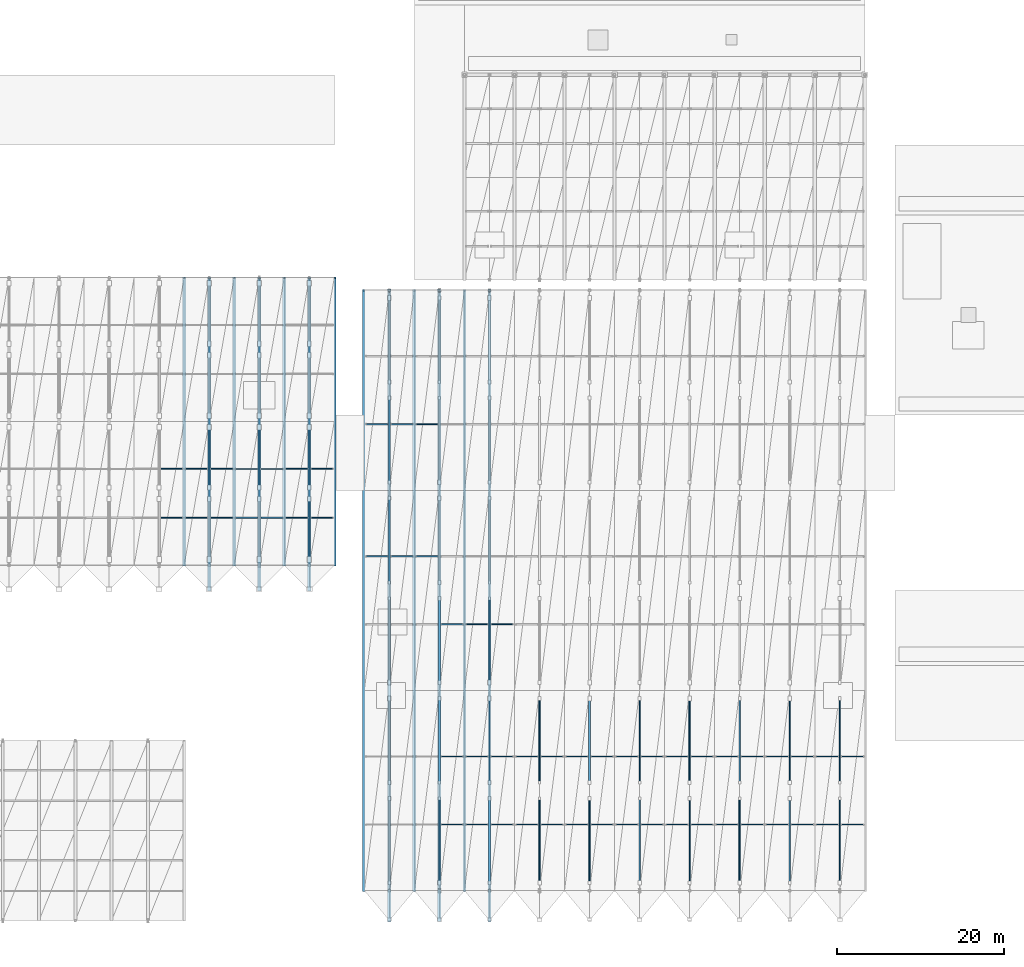
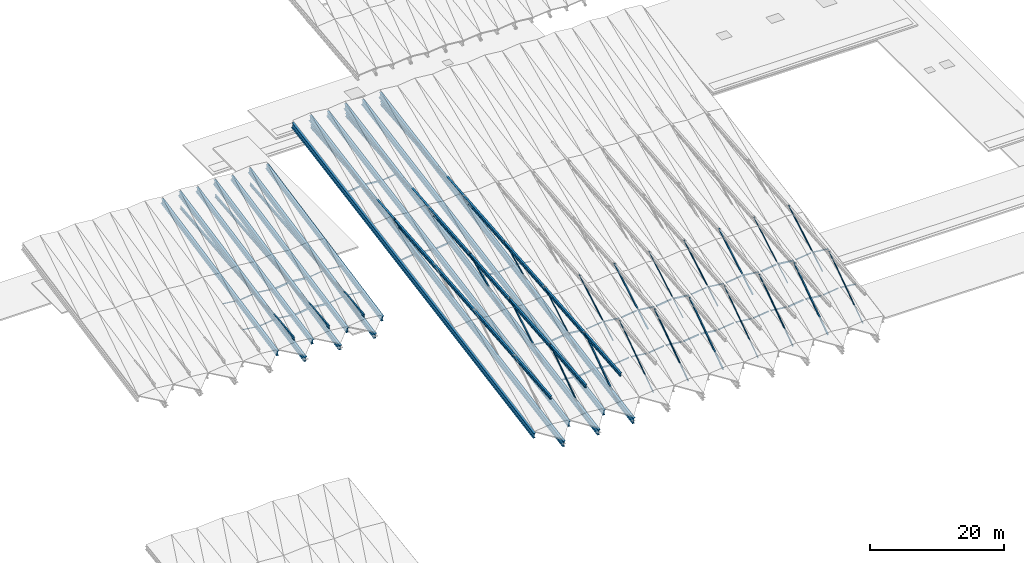
# One storey, part 4 of 52: 89 members, 13 beams.
"""IFC4 building model written with IfcOpenShell, lengths in metres."""

from ifc_helpers import new_model, si_unit, direction, frame, origin, origin_2d, place, context, subcontext, project, spatial, hollow_rectangle, hollow_circle, i_section, extrude, material, material_profile, profile_set, type_object, element, save


model = new_model("IFC4")

# Units and contexts
model_context = context("Model", 3, precision=1e-05, world=origin(), true_north=direction((0.0, 1.0)))
body_context = subcontext(model_context, "Body", "Model", "MODEL_VIEW")
ifc_project = project(units=[si_unit("LENGTHUNIT", "METRE"), si_unit("AREAUNIT", "SQUARE_METRE"), si_unit("VOLUMEUNIT", "CUBIC_METRE"), si_unit("PLANEANGLEUNIT", "RADIAN"), si_unit("MASSUNIT", "GRAM", prefix="KILO")], contexts=[model_context])

# Site, building, storey
site_placement = place(None, origin())
site = spatial("IfcSite", under=ifc_project, at=site_placement, CompositionType="ELEMENT")
building_placement = place(site_placement, origin())
building = spatial("IfcBuilding", under=site, at=building_placement, Name="Vaelkrest Opera House", CompositionType="ELEMENT")
storey_placement = place(building_placement, frame((0.0, 0.0, 41.39990234375)))
storey = spatial("IfcBuildingStorey", under=building, at=storey_placement, Name="ROOF", CompositionType="ELEMENT", Elevation=41.39990234375)

# Beams
ifc_material_1 = material(Name="Steel A992 Gr50", Category="steel")
ifc_material_profile_1 = material_profile(ifc_material_1, i_section(OverallWidth=0.41796875, OverallDepth=0.927001953125, WebThickness=0.019287109375, FlangeThickness=0.031982421875, at=origin_2d()), Name="W36X231")
ifc_profile_set_1 = profile_set([ifc_material_profile_1], Name="Steel A992 Gr50")
beam_type_1 = type_object("IfcBeamType", Name="B13", PredefinedType="BEAM", material=ifc_profile_set_1)
for number, where, z_axis, x_axis, name in (
    (1, (-51.60009765625, -16.800048828125, -18.114013671875), (0.0, 0.980710452507, 0.195466130936), (-1.0, 0.0, 0.0), "Pleated roof valley rafter V3-08"),
    (2, (-45.60009765625, -16.800048828125, -18.114013671875), (0.0, 0.980710452507, 0.195466130936), (-1.0, 0.0, 0.0), "Pleated roof valley rafter V3-10"),
    (3, (-39.60009765625, -16.800048828125, -18.114013671875), (0.0, 0.980710452507, 0.195466130936), (-1.0, 0.0, 0.0), "Pleated roof valley rafter V3-12"),
    (4, (-33.60009765625, -16.800048828125, -18.114013671875), (0.0, 0.980710452507, 0.195466130936), (-1.0, 0.0, 0.0), "Pleated roof valley rafter V3-14"),
):
    element("IfcBeam", number, at=place(storey_placement, frame(where, z_axis=z_axis, x_axis=x_axis)), inside=storey, type_object=beam_type_1, Name=name, PredefinedType="BEAM", context=body_context, shape_type="SweptSolid", body=[
        extrude(i_section(OverallWidth=0.41796875, OverallDepth=0.927001953125, WebThickness=0.019287109375, FlangeThickness=0.031982421875, at=origin_2d()), origin(), (0.0, 0.0, 1.0), 35.178466796875),
    ])
ifc_material_profile_2 = material_profile(ifc_material_1, i_section(OverallWidth=0.39990234375, OverallDepth=1.02197265625, WebThickness=0.01904296875, FlangeThickness=0.0361328125, at=origin_2d()), Name="W40X249")
ifc_profile_set_2 = profile_set([ifc_material_profile_2], Name="Steel A992 Gr50")
beam_type_2 = type_object("IfcBeamType", Name="B15", PredefinedType="BEAM", material=ifc_profile_set_2)
for number, where, z_axis, x_axis, name in (
    (5, (-30.0, -55.800048828125, -16.98095703125), (0.0, 0.984382983707, 0.176040169816), (-1.0, 0.0, 0.0), "Pleated roof valley rafter V1-00"),
    (6, (-24.0, -55.800048828125, -16.98095703125), (0.0, 0.984382983707, 0.176040169816), (-1.0, 0.0, 0.0), "Pleated roof valley rafter V1-02"),
    (7, (-18.0, -55.800048828125, -16.98095703125), (0.0, 0.984382983707, 0.176040169816), (-1.0, 0.0, 0.0), "Pleated roof valley rafter V1-04"),
):
    element("IfcBeam", number, at=place(storey_placement, frame(where, z_axis=z_axis, x_axis=x_axis)), inside=storey, type_object=beam_type_2, Name=name, PredefinedType="BEAM", context=body_context, shape_type="SweptSolid", body=[
        extrude(i_section(OverallWidth=0.39990234375, OverallDepth=1.02197265625, WebThickness=0.01904296875, FlangeThickness=0.0361328125, at=origin_2d()), origin(), (0.0, 0.0, 1.0), 73.142333984375),
    ])
ifc_material_profile_3 = material_profile(ifc_material_1, i_section(OverallWidth=0.423095703125, OverallDepth=0.947998046875, WebThickness=0.02392578125, FlangeThickness=0.042724609375, at=origin_2d()), Name="W36X302")
ifc_profile_set_3 = profile_set([ifc_material_profile_3], Name="Steel A992 Gr50")
beam_type_3 = type_object("IfcBeamType", Name="B17", PredefinedType="BEAM", material=ifc_profile_set_3)
for number, where, z_axis, x_axis, name in (
    (8, (-48.60009765625, -19.800048828125, -18.39794921875), (0.0, 0.980710612152, 0.195465329951), (-1.0, 0.0, 0.0), "Pleated roof ridge rafter V3-09"),
    (9, (-42.60009765625, -19.800048828125, -18.39794921875), (0.0, 0.980710612152, 0.195465329951), (-1.0, 0.0, 0.0), "Pleated roof ridge rafter V3-11"),
    (10, (-36.60009765625, -19.800048828125, -18.39794921875), (0.0, 0.980710612152, 0.195465329951), (-1.0, 0.0, 0.0), "Pleated roof ridge rafter V3-13"),
):
    element("IfcBeam", number, at=place(storey_placement, frame(where, z_axis=z_axis, x_axis=x_axis)), inside=storey, type_object=beam_type_3, Name=name, PredefinedType="BEAM", context=body_context, shape_type="SweptSolid", body=[
        extrude(i_section(OverallWidth=0.423095703125, OverallDepth=0.947998046875, WebThickness=0.02392578125, FlangeThickness=0.042724609375, at=origin_2d()), origin(), (0.0, 0.0, 1.0), 38.237548828125),
    ])
ifc_material_profile_4 = material_profile(ifc_material_1, i_section(OverallWidth=0.405029296875, OverallDepth=1.117919921875, WebThickness=0.02587890625, FlangeThickness=0.044921875, at=origin_2d()), Name="W44X335")
ifc_profile_set_4 = profile_set([ifc_material_profile_4], Name="Steel A992 Gr50")
beam_type_4 = type_object("IfcBeamType", Name="B18", PredefinedType="BEAM", material=ifc_profile_set_4)
for number, where, z_axis, x_axis, name in (
    (11, (-27.0, -59.39990234375, -17.348876953125), (0.0, 0.984382373709, 0.176043580772), (-1.0, 0.0, 0.0), "Pleated roof ridge rafter V1-01"),
    (12, (-21.0, -59.39990234375, -17.348876953125), (0.0, 0.984382373709, 0.176043580772), (-1.0, 0.0, 0.0), "Pleated roof ridge rafter V1-03"),
    (13, (-15.0, -59.39990234375, -17.348876953125), (0.0, 0.984382373709, 0.176043580772), (-1.0, 0.0, 0.0), "Pleated roof ridge rafter V1-05"),
):
    element("IfcBeam", number, at=place(storey_placement, frame(where, z_axis=z_axis, x_axis=x_axis)), inside=storey, type_object=beam_type_4, Name=name, PredefinedType="BEAM", context=body_context, shape_type="SweptSolid", body=[
        extrude(i_section(OverallWidth=0.405029296875, OverallDepth=1.117919921875, WebThickness=0.02587890625, FlangeThickness=0.044921875, at=origin_2d()), origin(), (0.0, 0.0, 1.0), 76.79931640625),
    ])

# Members
ifc_material_2 = material(Name="Steel A500 GrC", Category="steel")
ifc_material_profile_5 = material_profile(ifc_material_2, hollow_circle(Radius=0.084228515625, WallThickness=0.007080078125, at=origin_2d()), Name="HSS168.3X7.1")
ifc_profile_set_5 = profile_set([ifc_material_profile_5], Name="Steel A500 GrC")
member_type_1 = type_object("IfcMemberType", Name="BR01", PredefinedType="BRACE", material=ifc_profile_set_5)
for number, where, z_axis, x_axis, name in (
    (14, (-15.0, -42.840087890625, -14.94580078125), (0.0, 0.863110928031, 0.505014381888), (-1.0, 0.0, 0.0), "Pleated truss web brace V1-05-2"),
    (15, (3.0, -42.840087890625, -14.94580078125), (0.0, 0.863110928031, 0.505014381888), (-1.0, 0.0, 0.0), "Pleated truss web brace V1-11-2"),
    (16, (21.0, -42.840087890625, -14.94580078125), (0.0, 0.863110928031, 0.505014381888), (-1.0, 0.0, 0.0), "Pleated truss web brace V1-17-2"),
):
    element("IfcMember", number, at=place(storey_placement, frame(where, z_axis=z_axis, x_axis=x_axis)), inside=storey, type_object=member_type_1, Name=name, PredefinedType="BRACE", context=body_context, shape_type="SweptSolid", body=[
        extrude(hollow_circle(Radius=0.084228515625, WallThickness=0.007080078125, at=origin_2d()), origin(), (0.0, 0.0, 1.0), 11.6787109375),
    ])
ifc_material_profile_6 = material_profile(ifc_material_2, hollow_circle(Radius=0.09521484375, WallThickness=0.009521484375, at=origin_2d()), Name="HSS190.5X9.5")
ifc_profile_set_6 = profile_set([ifc_material_profile_6], Name="Steel A500 GrC")
member_type_2 = type_object("IfcMemberType", Name="BR02", PredefinedType="BRACE", material=ifc_profile_set_6)
member_1_placement = place(storey_placement, frame((-15.0, -30.840087890625, -12.7998046875), z_axis=(0.0, 0.904046576434, 0.427433957047), x_axis=(-1.0, 0.0, 0.0)))
element("IfcMember", 17, at=member_1_placement, inside=storey, type_object=member_type_2, Name="Pleated truss web brace V1-05-3", PredefinedType="BRACE", context=body_context, shape_type="SweptSolid", body=[
    extrude(hollow_circle(Radius=0.09521484375, WallThickness=0.009521484375, at=origin_2d()), origin(), (0.0, 0.0, 1.0), 11.14990234375),
])
for number, where, z_axis, x_axis, name in (
    (18, (-9.0, -54.840087890625, -17.091796875), (0.0, 0.820234906508, 0.572026833414), (-1.0, 0.0, 0.0), "Pleated truss web brace V1-07-1"),
    (19, (9.0, -54.840087890625, -17.091796875), (0.0, 0.820234906508, 0.572026833414), (-1.0, 0.0, 0.0), "Pleated truss web brace V1-13-1"),
    (20, (27.0, -54.840087890625, -17.091796875), (0.0, 0.820234906508, 0.572026833414), (-1.0, 0.0, 0.0), "Pleated truss web brace V1-19-1"),
):
    element("IfcMember", number, at=place(storey_placement, frame(where, z_axis=z_axis, x_axis=x_axis)), inside=storey, type_object=member_type_2, Name=name, PredefinedType="BRACE", context=body_context, shape_type="SweptSolid", body=[
        extrude(hollow_circle(Radius=0.09521484375, WallThickness=0.009521484375, at=origin_2d()), origin(), (0.0, 0.0, 1.0), 12.289306640625),
    ])
ifc_material_profile_7 = material_profile(ifc_material_2, hollow_circle(Radius=0.109619140625, WallThickness=0.009521484375, at=origin_2d()), Name="HSS219.1X9.5")
ifc_profile_set_7 = profile_set([ifc_material_profile_7], Name="Steel A500 GrC")
member_type_3 = type_object("IfcMemberType", Name="BR03", PredefinedType="BRACE", material=ifc_profile_set_7)
for number, where, z_axis, x_axis, name in (
    (21, (-9.0, -42.840087890625, -14.94580078125), (0.0, 0.863110928031, 0.505014381888), (-1.0, 0.0, 0.0), "Pleated truss web brace V1-07-2"),
    (22, (9.0, -42.840087890625, -14.94580078125), (0.0, 0.863110928031, 0.505014381888), (-1.0, 0.0, 0.0), "Pleated truss web brace V1-13-2"),
    (23, (27.0, -42.840087890625, -14.94580078125), (0.0, 0.863110928031, 0.505014381888), (-1.0, 0.0, 0.0), "Pleated truss web brace V1-19-2"),
):
    element("IfcMember", number, at=place(storey_placement, frame(where, z_axis=z_axis, x_axis=x_axis)), inside=storey, type_object=member_type_3, Name=name, PredefinedType="BRACE", context=body_context, shape_type="SweptSolid", body=[
        extrude(hollow_circle(Radius=0.109619140625, WallThickness=0.009521484375, at=origin_2d()), origin(), (0.0, 0.0, 1.0), 11.6787109375),
    ])
ifc_material_profile_8 = material_profile(ifc_material_2, hollow_circle(Radius=0.122314453125, WallThickness=0.0126953125, at=origin_2d()), Name="HSS244.5X12.7")
ifc_profile_set_8 = profile_set([ifc_material_profile_8], Name="Steel A500 GrC")
member_type_4 = type_object("IfcMemberType", Name="BR04", PredefinedType="BRACE", material=ifc_profile_set_8)
for number, where, z_axis, x_axis, name in (
    (24, (-21.0, -54.840087890625, -17.091796875), (0.0, 0.820234906508, 0.572026833414), (-1.0, 0.0, 0.0), "Pleated truss web brace V1-03-1"),
    (25, (-3.0, -54.840087890625, -17.091796875), (0.0, 0.820234906508, 0.572026833414), (-1.0, 0.0, 0.0), "Pleated truss web brace V1-09-1"),
    (26, (15.0, -54.840087890625, -17.091796875), (0.0, 0.820234906508, 0.572026833414), (-1.0, 0.0, 0.0), "Pleated truss web brace V1-15-1"),
):
    element("IfcMember", number, at=place(storey_placement, frame(where, z_axis=z_axis, x_axis=x_axis)), inside=storey, type_object=member_type_4, Name=name, PredefinedType="BRACE", context=body_context, shape_type="SweptSolid", body=[
        extrude(hollow_circle(Radius=0.122314453125, WallThickness=0.0126953125, at=origin_2d()), origin(), (0.0, 0.0, 1.0), 12.289306640625),
    ])
ifc_material_profile_9 = material_profile(ifc_material_2, hollow_circle(Radius=0.136474609375, WallThickness=0.0126953125, at=origin_2d()), Name="HSS273.1X12.7")
ifc_profile_set_9 = profile_set([ifc_material_profile_9], Name="Steel A500 GrC")
member_type_5 = type_object("IfcMemberType", Name="BR05", PredefinedType="BRACE", material=ifc_profile_set_9)
for number, where, z_axis, x_axis, name in (
    (27, (-48.60009765625, -7.485107421875, -16.4169921875), (0.0, 0.976296082259, 0.216439275009), (-1.0, 0.0, 0.0), "Pleated truss web brace V3-09-2"),
    (28, (-42.60009765625, -7.485107421875, -16.4169921875), (0.0, 0.976296082259, 0.216439275009), (-1.0, 0.0, 0.0), "Pleated truss web brace V3-11-2"),
    (29, (-36.60009765625, -7.485107421875, -16.4169921875), (0.0, 0.976296082259, 0.216439275009), (-1.0, 0.0, 0.0), "Pleated truss web brace V3-13-2"),
):
    element("IfcMember", number, at=place(storey_placement, frame(where, z_axis=z_axis, x_axis=x_axis)), inside=storey, type_object=member_type_5, Name=name, PredefinedType="BRACE", context=body_context, shape_type="SweptSolid", body=[
        extrude(hollow_circle(Radius=0.136474609375, WallThickness=0.0126953125, at=origin_2d()), origin(), (0.0, 0.0, 1.0), 7.421142578125),
    ])
ifc_material_profile_10 = material_profile(ifc_material_2, hollow_circle(Radius=0.161865234375, WallThickness=0.0126953125, at=origin_2d()), Name="HSS323.9X12.7")
ifc_profile_set_10 = profile_set([ifc_material_profile_10], Name="Steel A500 GrC")
member_type_6 = type_object("IfcMemberType", Name="BR06", PredefinedType="BRACE", material=ifc_profile_set_10)
member_2_placement = place(storey_placement, frame((-36.60009765625, -16.110107421875, -18.135986328125), z_axis=(0.0, 0.945942313597, 0.324334918481), x_axis=(-1.0, 0.0, 0.0)))
element("IfcMember", 30, at=member_2_placement, inside=storey, type_object=member_type_6, Name="Pleated truss web brace V3-13-1", PredefinedType="BRACE", context=body_context, shape_type="SweptSolid", body=[
    extrude(hollow_circle(Radius=0.161865234375, WallThickness=0.0126953125, at=origin_2d()), origin(), (0.0, 0.0, 1.0), 7.6591796875),
])
ifc_material_profile_11 = material_profile(ifc_material_2, hollow_rectangle(XDim=0.202880859375, YDim=0.202880859375, WallThickness=0.0126953125, at=origin_2d()), Name="HSS203X203X12.7")
ifc_profile_set_11 = profile_set([ifc_material_profile_11], Name="Steel A500 GrC")
member_type_7 = type_object("IfcMemberType", Name="BR07", PredefinedType="BRACE", material=ifc_profile_set_11)
member_3_placement = place(storey_placement, frame((-27.0, -18.840087890625, -10.65380859375), z_axis=(0.0, 0.940739769889, 0.339129304762), x_axis=(-1.0, 0.0, 0.0)))
element("IfcMember", 31, at=member_3_placement, inside=storey, type_object=member_type_7, Name="Pleated truss web brace V1-01-4", PredefinedType="BRACE", context=body_context, shape_type="SweptSolid", body=[
    extrude(hollow_rectangle(XDim=0.202880859375, YDim=0.202880859375, WallThickness=0.0126953125, at=origin_2d()), origin(), (0.0, 0.0, 1.0), 10.715087890625),
])
for number, where, z_axis, x_axis, name in (
    (32, (-21.0, -42.840087890625, -14.94580078125), (0.0, 0.863110928031, 0.505014381888), (-1.0, 0.0, 0.0), "Pleated truss web brace V1-03-2"),
    (33, (-3.0, -42.840087890625, -14.94580078125), (0.0, 0.863110928031, 0.505014381888), (-1.0, 0.0, 0.0), "Pleated truss web brace V1-09-2"),
    (34, (15.0, -42.840087890625, -14.94580078125), (0.0, 0.863110928031, 0.505014381888), (-1.0, 0.0, 0.0), "Pleated truss web brace V1-15-2"),
):
    element("IfcMember", number, at=place(storey_placement, frame(where, z_axis=z_axis, x_axis=x_axis)), inside=storey, type_object=member_type_7, Name=name, PredefinedType="BRACE", context=body_context, shape_type="SweptSolid", body=[
        extrude(hollow_rectangle(XDim=0.202880859375, YDim=0.202880859375, WallThickness=0.0126953125, at=origin_2d()), origin(), (0.0, 0.0, 1.0), 11.6787109375),
    ])
ifc_material_profile_12 = material_profile(ifc_material_2, hollow_rectangle(XDim=0.202880859375, YDim=0.25390625, WallThickness=0.0126953125, at=origin_2d()), Name="HSS254X203X12.7")
ifc_profile_set_12 = profile_set([ifc_material_profile_12], Name="Steel A500 GrC")
member_type_8 = type_object("IfcMemberType", Name="BR08", PredefinedType="BRACE", material=ifc_profile_set_12)
member_4_placement = place(storey_placement, frame((-27.0, -6.840087890625, -8.5078125), z_axis=(0.0, 0.970550414284, 0.240898097403), x_axis=(-1.0, 0.0, 0.0)))
element("IfcMember", 35, at=member_4_placement, inside=storey, type_object=member_type_8, Name="Pleated truss web brace V1-01-5", PredefinedType="BRACE", context=body_context, shape_type="SweptSolid", body=[
    extrude(hollow_rectangle(XDim=0.202880859375, YDim=0.25390625, WallThickness=0.0126953125, at=origin_2d()), origin(), (0.0, 0.0, 1.0), 10.385986328125),
])
member_5_placement = place(storey_placement, frame((-21.0, -30.840087890625, -12.7998046875), z_axis=(0.0, 0.904046576434, 0.427433957047), x_axis=(-1.0, 0.0, 0.0)))
element("IfcMember", 36, at=member_5_placement, inside=storey, type_object=member_type_8, Name="Pleated truss web brace V1-03-3", PredefinedType="BRACE", context=body_context, shape_type="SweptSolid", body=[
    extrude(hollow_rectangle(XDim=0.202880859375, YDim=0.25390625, WallThickness=0.0126953125, at=origin_2d()), origin(), (0.0, 0.0, 1.0), 11.14990234375),
])
for number, where, z_axis, x_axis, name in (
    (37, (-15.0, -54.840087890625, -17.091796875), (0.0, 0.820234906508, 0.572026833414), (-1.0, 0.0, 0.0), "Pleated truss web brace V1-05-1"),
    (38, (3.0, -54.840087890625, -17.091796875), (0.0, 0.820234906508, 0.572026833414), (-1.0, 0.0, 0.0), "Pleated truss web brace V1-11-1"),
    (39, (21.0, -54.840087890625, -17.091796875), (0.0, 0.820234906508, 0.572026833414), (-1.0, 0.0, 0.0), "Pleated truss web brace V1-17-1"),
):
    element("IfcMember", number, at=place(storey_placement, frame(where, z_axis=z_axis, x_axis=x_axis)), inside=storey, type_object=member_type_8, Name=name, PredefinedType="BRACE", context=body_context, shape_type="SweptSolid", body=[
        extrude(hollow_rectangle(XDim=0.202880859375, YDim=0.25390625, WallThickness=0.0126953125, at=origin_2d()), origin(), (0.0, 0.0, 1.0), 12.289306640625),
    ])
ifc_material_profile_13 = material_profile(ifc_material_2, hollow_rectangle(XDim=0.10205078125, YDim=0.152099609375, WallThickness=0.0078125, at=origin_2d()), Name="HSS152X102X8")
ifc_profile_set_13 = profile_set([ifc_material_profile_13], Name="Steel A500 GrC")
member_type_9 = type_object("IfcMemberType", Name="PR01", PredefinedType="PURLIN", material=ifc_profile_set_13)
for number, where, z_axis, x_axis, name in (
    (40, (-54.419921875, -11.10791015625, -16.27783203125), (0.992553582992, 0.0, -0.121808804645), (0.0, 1.0, 0.0), "Folded roof purlin V3-04-S1-33E"),
    (41, (-54.419921875, -5.241943359375, -15.10791015625), (0.992553582992, 0.0, -0.121808804645), (0.0, 1.0, 0.0), "Folded roof purlin V3-04-S1-67E"),
    (42, (-39.419921875, -11.10791015625, -16.601806640625), (0.992553582992, 0.0, 0.121808804645), (0.0, 1.0, 0.0), "Folded roof purlin V3-07-S1-33W"),
    (43, (-36.419921875, -11.10791015625, -16.27783203125), (0.992553582992, 0.0, -0.121808804645), (0.0, 1.0, 0.0), "Folded roof purlin V3-07-S1-33E"),
    (44, (-39.419921875, -5.241943359375, -15.431884765625), (0.992553582992, 0.0, 0.121808804645), (0.0, 1.0, 0.0), "Folded roof purlin V3-07-S1-67W"),
    (45, (-36.419921875, -5.241943359375, -15.10791015625), (0.992553582992, 0.0, -0.121808804645), (0.0, 1.0, 0.0), "Folded roof purlin V3-07-S1-67E"),
):
    element("IfcMember", number, at=place(storey_placement, frame(where, z_axis=z_axis, x_axis=x_axis)), inside=storey, type_object=member_type_9, Name=name, PredefinedType="PURLIN", context=body_context, shape_type="SweptSolid", body=[
        extrude(hollow_rectangle(XDim=0.10205078125, YDim=0.152099609375, WallThickness=0.0078125, at=origin_2d()), origin(), (0.0, 0.0, 1.0), 2.65966796875),
    ])
ifc_material_profile_14 = material_profile(ifc_material_2, hollow_rectangle(XDim=0.126953125, YDim=0.177978515625, WallThickness=0.009521484375, at=origin_2d()), Name="HSS178X127X9.5")
ifc_profile_set_14 = profile_set([ifc_material_profile_14], Name="Steel A500 GrC")
member_type_10 = type_object("IfcMemberType", Name="PR02", PredefinedType="PURLIN", material=ifc_profile_set_14)
for number, where, z_axis, x_axis, name in (
    (46, (-51.419921875, -11.10791015625, -16.614990234375), (0.992553582992, 0.0, 0.121808804645), (0.0, 1.0, 0.0), "Folded roof purlin V3-05-S1-33W"),
    (47, (-48.419921875, -11.10791015625, -16.291015625), (0.992553582992, 0.0, -0.121808804645), (0.0, 1.0, 0.0), "Folded roof purlin V3-05-S1-33E"),
    (48, (-51.419921875, -5.241943359375, -15.44482421875), (0.992553582992, 0.0, 0.121808804645), (0.0, 1.0, 0.0), "Folded roof purlin V3-05-S1-67W"),
    (49, (-48.419921875, -5.241943359375, -15.120849609375), (0.992553582992, 0.0, -0.121808804645), (0.0, 1.0, 0.0), "Folded roof purlin V3-05-S1-67E"),
):
    element("IfcMember", number, at=place(storey_placement, frame(where, z_axis=z_axis, x_axis=x_axis)), inside=storey, type_object=member_type_10, Name=name, PredefinedType="PURLIN", context=body_context, shape_type="SweptSolid", body=[
        extrude(hollow_rectangle(XDim=0.126953125, YDim=0.177978515625, WallThickness=0.009521484375, at=origin_2d()), origin(), (0.0, 0.0, 1.0), 2.65966796875),
    ])
ifc_material_profile_15 = material_profile(ifc_material_2, hollow_rectangle(XDim=0.10205078125, YDim=0.202880859375, WallThickness=0.0078125, at=origin_2d()), Name="HSS203X102X8")
ifc_profile_set_15 = profile_set([ifc_material_profile_15], Name="Steel A500 GrC")
member_type_11 = type_object("IfcMemberType", Name="PR03", PredefinedType="PURLIN", material=ifc_profile_set_15)
for number, where, z_axis, x_axis, name in (
    (50, (-23.820068359375, 0.1201171875, -6.581787109375), (0.992554944769, 0.0, 0.121797707759), (0.0, 1.0, 0.0), "Folded roof purlin V1-02-S3-33W"),
    (51, (-17.820068359375, -23.8798828125, -10.8740234375), (0.992543844891, 0.0, 0.121888128908), (0.0, 1.0, 0.0), "Folded roof purlin V1-03-S2-33W"),
    (52, (-14.820068359375, -23.8798828125, -10.5498046875), (0.992543844891, 0.0, -0.121888128908), (0.0, 1.0, 0.0), "Folded roof purlin V1-03-S2-33E"),
    (53, (-11.820068359375, -47.8798828125, -15.166015625), (0.992543844891, 0.0, 0.121888128908), (0.0, 1.0, 0.0), "Folded roof purlin V1-04-S1-33W"),
    (54, (-8.820068359375, -47.8798828125, -14.841796875), (0.992543844891, 0.0, -0.121888128908), (0.0, 1.0, 0.0), "Folded roof purlin V1-04-S1-33E"),
    (55, (-11.820068359375, -39.719970703125, -13.705810546875), (0.992554944769, 0.0, 0.121797707759), (0.0, 1.0, 0.0), "Folded roof purlin V1-04-S1-67W"),
    (56, (-8.820068359375, -39.719970703125, -13.3818359375), (0.992554944769, 0.0, -0.121797707759), (0.0, 1.0, 0.0), "Folded roof purlin V1-04-S1-67E"),
    (57, (6.179931640625, -47.8798828125, -15.166015625), (0.992543844891, 0.0, 0.121888128908), (0.0, 1.0, 0.0), "Folded roof purlin V1-07-S1-33W"),
    (58, (9.179931640625, -47.8798828125, -14.841796875), (0.992543844891, 0.0, -0.121888128908), (0.0, 1.0, 0.0), "Folded roof purlin V1-07-S1-33E"),
    (59, (6.179931640625, -39.719970703125, -13.705810546875), (0.992554944769, 0.0, 0.121797707759), (0.0, 1.0, 0.0), "Folded roof purlin V1-07-S1-67W"),
    (60, (9.179931640625, -39.719970703125, -13.3818359375), (0.992554944769, 0.0, -0.121797707759), (0.0, 1.0, 0.0), "Folded roof purlin V1-07-S1-67E"),
    (61, (24.179931640625, -47.8798828125, -15.166015625), (0.992543844891, 0.0, 0.121888128908), (0.0, 1.0, 0.0), "Folded roof purlin V1-10-S1-33W"),
    (62, (27.179931640625, -47.8798828125, -14.841796875), (0.992543844891, 0.0, -0.121888128908), (0.0, 1.0, 0.0), "Folded roof purlin V1-10-S1-33E"),
    (63, (24.179931640625, -39.719970703125, -13.705810546875), (0.992554944769, 0.0, 0.121797707759), (0.0, 1.0, 0.0), "Folded roof purlin V1-10-S1-67W"),
    (64, (27.179931640625, -39.719970703125, -13.3818359375), (0.992554944769, 0.0, -0.121797707759), (0.0, 1.0, 0.0), "Folded roof purlin V1-10-S1-67E"),
):
    element("IfcMember", number, at=place(storey_placement, frame(where, z_axis=z_axis, x_axis=x_axis)), inside=storey, type_object=member_type_11, Name=name, PredefinedType="PURLIN", context=body_context, shape_type="SweptSolid", body=[
        extrude(hollow_rectangle(XDim=0.10205078125, YDim=0.202880859375, WallThickness=0.0078125, at=origin_2d()), origin(), (0.0, 0.0, 1.0), 2.659912109375),
    ])
ifc_material_profile_16 = material_profile(ifc_material_2, hollow_rectangle(XDim=0.152099609375, YDim=0.202880859375, WallThickness=0.009521484375, at=origin_2d()), Name="HSS203X152X9.5")
ifc_profile_set_16 = profile_set([ifc_material_profile_16], Name="Steel A500 GrC")
member_type_12 = type_object("IfcMemberType", Name="PR04", PredefinedType="PURLIN", material=ifc_profile_set_16)
for number, where, z_axis, x_axis, name in (
    (65, (-29.820068359375, -15.719970703125, -9.413818359375), (0.992554944769, 0.0, 0.121797707759), (0.0, 1.0, 0.0), "Folded roof purlin V1-01-S2-67W"),
    (66, (-26.820068359375, -15.719970703125, -9.08984375), (0.992554944769, 0.0, -0.121797707759), (0.0, 1.0, 0.0), "Folded roof purlin V1-01-S2-67E"),
    (67, (-20.820068359375, -47.8798828125, -14.841796875), (0.992543844891, 0.0, -0.121888128908), (0.0, 1.0, 0.0), "Folded roof purlin V1-02-S1-33E"),
    (68, (-20.820068359375, -39.719970703125, -13.3818359375), (0.992554944769, 0.0, -0.121797707759), (0.0, 1.0, 0.0), "Folded roof purlin V1-02-S1-67E"),
    (69, (-5.820068359375, -47.8798828125, -15.166015625), (0.992543844891, 0.0, 0.121888128908), (0.0, 1.0, 0.0), "Folded roof purlin V1-05-S1-33W"),
    (70, (-2.820068359375, -47.8798828125, -14.841796875), (0.992543844891, 0.0, -0.121888128908), (0.0, 1.0, 0.0), "Folded roof purlin V1-05-S1-33E"),
    (71, (-5.820068359375, -39.719970703125, -13.705810546875), (0.992554944769, 0.0, 0.121797707759), (0.0, 1.0, 0.0), "Folded roof purlin V1-05-S1-67W"),
    (72, (-2.820068359375, -39.719970703125, -13.3818359375), (0.992554944769, 0.0, -0.121797707759), (0.0, 1.0, 0.0), "Folded roof purlin V1-05-S1-67E"),
    (73, (12.179931640625, -47.8798828125, -15.166015625), (0.992543844891, 0.0, 0.121888128908), (0.0, 1.0, 0.0), "Folded roof purlin V1-08-S1-33W"),
    (74, (15.179931640625, -47.8798828125, -14.841796875), (0.992543844891, 0.0, -0.121888128908), (0.0, 1.0, 0.0), "Folded roof purlin V1-08-S1-33E"),
    (75, (12.179931640625, -39.719970703125, -13.705810546875), (0.992554944769, 0.0, 0.121797707759), (0.0, 1.0, 0.0), "Folded roof purlin V1-08-S1-67W"),
    (76, (15.179931640625, -39.719970703125, -13.3818359375), (0.992554944769, 0.0, -0.121797707759), (0.0, 1.0, 0.0), "Folded roof purlin V1-08-S1-67E"),
):
    element("IfcMember", number, at=place(storey_placement, frame(where, z_axis=z_axis, x_axis=x_axis)), inside=storey, type_object=member_type_12, Name=name, PredefinedType="PURLIN", context=body_context, shape_type="SweptSolid", body=[
        extrude(hollow_rectangle(XDim=0.152099609375, YDim=0.202880859375, WallThickness=0.009521484375, at=origin_2d()), origin(), (0.0, 0.0, 1.0), 2.659912109375),
    ])
ifc_material_profile_17 = material_profile(ifc_material_2, hollow_rectangle(XDim=0.152099609375, YDim=0.25390625, WallThickness=0.009521484375, at=origin_2d()), Name="HSS254X152X9.5")
ifc_profile_set_17 = profile_set([ifc_material_profile_17], Name="Steel A500 GrC")
member_type_13 = type_object("IfcMemberType", Name="PR05", PredefinedType="PURLIN", material=ifc_profile_set_17)
for number, where, z_axis, x_axis, name in (
    (77, (-29.820068359375, 0.1201171875, -6.60693359375), (0.992554944769, 0.0, 0.121797707759), (0.0, 1.0, 0.0), "Folded roof purlin V1-01-S3-33W"),
    (78, (-26.820068359375, 0.1201171875, -6.282958984375), (0.992554944769, 0.0, -0.121797707759), (0.0, 1.0, 0.0), "Folded roof purlin V1-01-S3-33E"),
    (79, (-20.820068359375, -23.8798828125, -10.574951171875), (0.992554944769, 0.0, -0.121797707759), (0.0, 1.0, 0.0), "Folded roof purlin V1-02-S2-33E"),
    (80, (-23.820068359375, -15.719970703125, -9.43896484375), (0.992554944769, 0.0, 0.121797707759), (0.0, 1.0, 0.0), "Folded roof purlin V1-02-S2-67W"),
    (81, (-17.820068359375, -47.8798828125, -15.19091796875), (0.992554944769, 0.0, 0.121797707759), (0.0, 1.0, 0.0), "Folded roof purlin V1-03-S1-33W"),
    (82, (-14.820068359375, -47.8798828125, -14.866943359375), (0.992554944769, 0.0, -0.121797707759), (0.0, 1.0, 0.0), "Folded roof purlin V1-03-S1-33E"),
    (83, (-17.820068359375, -39.719970703125, -13.73095703125), (0.992554944769, 0.0, 0.121797707759), (0.0, 1.0, 0.0), "Folded roof purlin V1-03-S1-67W"),
    (84, (-14.820068359375, -39.719970703125, -13.406982421875), (0.992554944769, 0.0, -0.121797707759), (0.0, 1.0, 0.0), "Folded roof purlin V1-03-S1-67E"),
    (85, (0.179931640625, -47.8798828125, -15.19091796875), (0.992554944769, 0.0, 0.121797707759), (0.0, 1.0, 0.0), "Folded roof purlin V1-06-S1-33W"),
    (86, (3.179931640625, -47.8798828125, -14.866943359375), (0.992554944769, 0.0, -0.121797707759), (0.0, 1.0, 0.0), "Folded roof purlin V1-06-S1-33E"),
    (87, (0.179931640625, -39.719970703125, -13.73095703125), (0.992554944769, 0.0, 0.121797707759), (0.0, 1.0, 0.0), "Folded roof purlin V1-06-S1-67W"),
    (88, (3.179931640625, -39.719970703125, -13.406982421875), (0.992554944769, 0.0, -0.121797707759), (0.0, 1.0, 0.0), "Folded roof purlin V1-06-S1-67E"),
    (89, (18.179931640625, -47.8798828125, -15.19091796875), (0.992554944769, 0.0, 0.121797707759), (0.0, 1.0, 0.0), "Folded roof purlin V1-09-S1-33W"),
    (90, (21.179931640625, -47.8798828125, -14.866943359375), (0.992554944769, 0.0, -0.121797707759), (0.0, 1.0, 0.0), "Folded roof purlin V1-09-S1-33E"),
    (91, (18.179931640625, -39.719970703125, -13.73095703125), (0.992554944769, 0.0, 0.121797707759), (0.0, 1.0, 0.0), "Folded roof purlin V1-09-S1-67W"),
    (92, (21.179931640625, -39.719970703125, -13.406982421875), (0.992554944769, 0.0, -0.121797707759), (0.0, 1.0, 0.0), "Folded roof purlin V1-09-S1-67E"),
):
    element("IfcMember", number, at=place(storey_placement, frame(where, z_axis=z_axis, x_axis=x_axis)), inside=storey, type_object=member_type_13, Name=name, PredefinedType="PURLIN", context=body_context, shape_type="SweptSolid", body=[
        extrude(hollow_rectangle(XDim=0.152099609375, YDim=0.25390625, WallThickness=0.009521484375, at=origin_2d()), origin(), (0.0, 0.0, 1.0), 2.659912109375),
    ])
ifc_material_profile_18 = material_profile(ifc_material_2, hollow_rectangle(XDim=0.152099609375, YDim=0.304931640625, WallThickness=0.0126953125, at=origin_2d()), Name="HSS305X152X12.7")
ifc_profile_set_18 = profile_set([ifc_material_profile_18], Name="Steel A500 GrC")
member_type_14 = type_object("IfcMemberType", Name="PR06", PredefinedType="PURLIN", material=ifc_profile_set_18)
for number, where, z_axis, x_axis, name in (
    (93, (-45.419921875, -11.10791015625, -16.678955078125), (0.992553582992, 0.0, 0.121808804645), (0.0, 1.0, 0.0), "Folded roof purlin V3-06-S1-33W"),
    (94, (-42.419921875, -11.10791015625, -16.35498046875), (0.992553582992, 0.0, -0.121808804645), (0.0, 1.0, 0.0), "Folded roof purlin V3-06-S1-33E"),
    (95, (-45.419921875, -5.241943359375, -15.5087890625), (0.992553582992, 0.0, 0.121808804645), (0.0, 1.0, 0.0), "Folded roof purlin V3-06-S1-67W"),
    (96, (-42.419921875, -5.241943359375, -15.184814453125), (0.992553582992, 0.0, -0.121808804645), (0.0, 1.0, 0.0), "Folded roof purlin V3-06-S1-67E"),
):
    element("IfcMember", number, at=place(storey_placement, frame(where, z_axis=z_axis, x_axis=x_axis)), inside=storey, type_object=member_type_14, Name=name, PredefinedType="PURLIN", context=body_context, shape_type="SweptSolid", body=[
        extrude(hollow_rectangle(XDim=0.152099609375, YDim=0.304931640625, WallThickness=0.0126953125, at=origin_2d()), origin(), (0.0, 0.0, 1.0), 2.65966796875),
    ])
ifc_material_profile_19 = material_profile(ifc_material_1, i_section(OverallWidth=0.214111328125, OverallDepth=0.549072265625, WebThickness=0.0146484375, FlangeThickness=0.023681640625, at=origin_2d()), Name="W21X93")
ifc_profile_set_19 = profile_set([ifc_material_profile_19], Name="Steel A992 Gr50")
member_type_15 = type_object("IfcMemberType", Name="TC02", PredefinedType="CHORD", material=ifc_profile_set_19)
for number, where, z_axis, x_axis, name in (
    (97, (-48.60009765625, -16.550048828125, -16.699951171875), (0.0, 0.995143728949, 0.098432508518), (-1.0, 0.0, 0.0), "Pleated truss bottom chord V3-09"),
    (98, (-42.60009765625, -16.550048828125, -16.699951171875), (0.0, 0.995143728949, 0.098432508518), (-1.0, 0.0, 0.0), "Pleated truss bottom chord V3-11"),
    (99, (-36.60009765625, -16.550048828125, -16.699951171875), (0.0, 0.995143728949, 0.098432508518), (-1.0, 0.0, 0.0), "Pleated truss bottom chord V3-13"),
):
    element("IfcMember", number, at=place(storey_placement, frame(where, z_axis=z_axis, x_axis=x_axis)), inside=storey, type_object=member_type_15, Name=name, PredefinedType="CHORD", context=body_context, shape_type="SweptSolid", body=[
        extrude(i_section(OverallWidth=0.214111328125, OverallDepth=0.549072265625, WebThickness=0.0146484375, FlangeThickness=0.023681640625, at=origin_2d()), origin(), (0.0, 0.0, 1.0), 34.166015625),
    ])
ifc_material_profile_20 = material_profile(ifc_material_1, i_section(OverallWidth=0.323974609375, OverallDepth=0.611083984375, WebThickness=0.0126953125, FlangeThickness=0.01904296875, at=origin_2d()), Name="W24X104")
ifc_profile_set_20 = profile_set([ifc_material_profile_20], Name="Steel A992 Gr50")
member_type_16 = type_object("IfcMemberType", Name="TC03", PredefinedType="CHORD", material=ifc_profile_set_20)
for number, where, z_axis, x_axis, name in (
    (100, (-27.0, -55.550048828125, -11.2998046875), (0.0, 0.996399328232, 0.084784306912), (-1.0, 0.0, 0.0), "Pleated truss bottom chord V1-01"),
    (101, (-21.0, -55.550048828125, -11.2998046875), (0.0, 0.996399328232, 0.084784306912), (-1.0, 0.0, 0.0), "Pleated truss bottom chord V1-03"),
    (102, (-15.0, -55.550048828125, -11.2998046875), (0.0, 0.996399328232, 0.084784306912), (-1.0, 0.0, 0.0), "Pleated truss bottom chord V1-05"),
):
    element("IfcMember", number, at=place(storey_placement, frame(where, z_axis=z_axis, x_axis=x_axis)), inside=storey, type_object=member_type_16, Name=name, PredefinedType="CHORD", context=body_context, shape_type="SweptSolid", body=[
        extrude(i_section(OverallWidth=0.323974609375, OverallDepth=0.611083984375, WebThickness=0.0126953125, FlangeThickness=0.01904296875, at=origin_2d()), origin(), (0.0, 0.0, 1.0), 71.75830078125),
    ])

save(model, "model.ifc")
